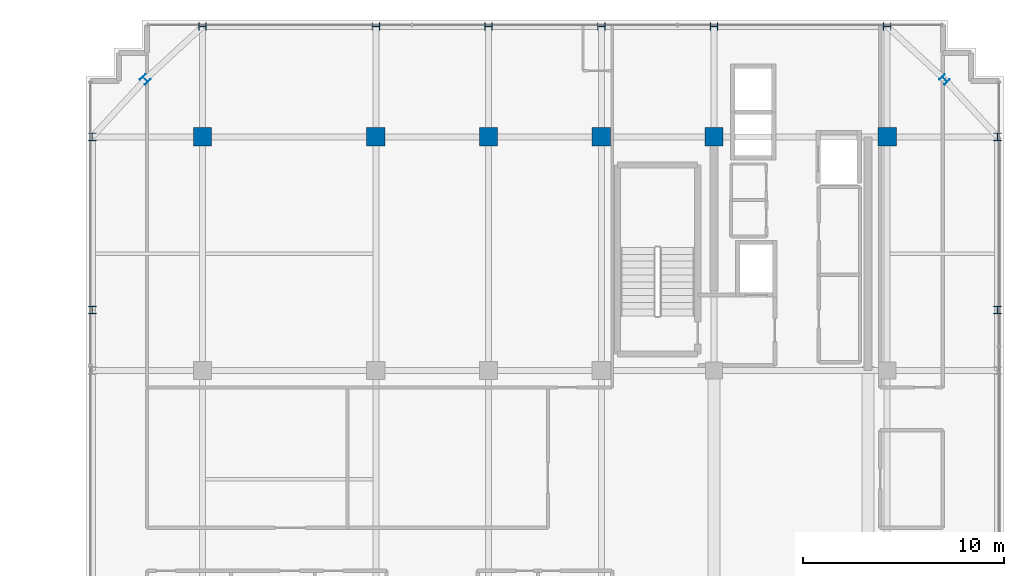
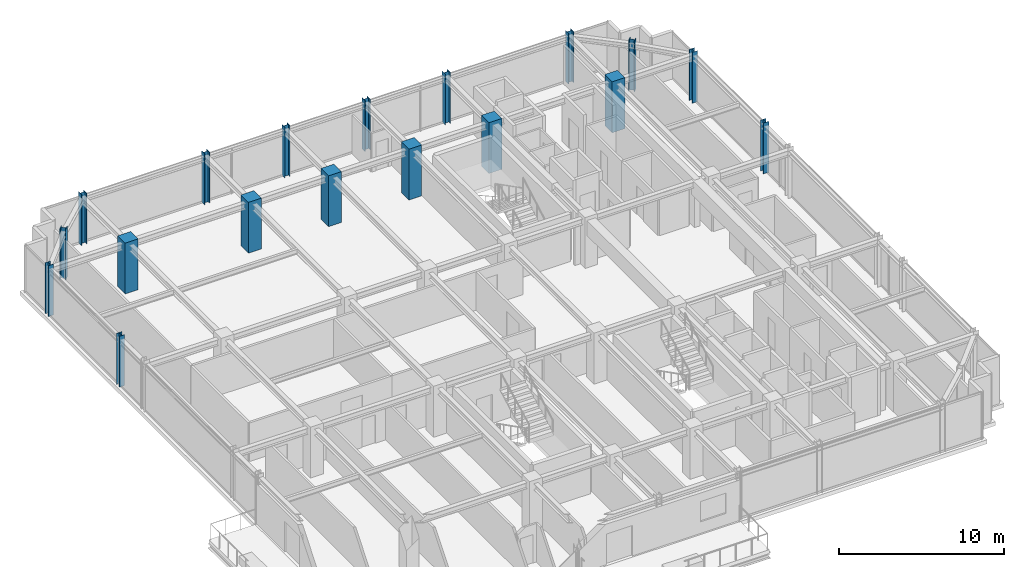
# One storey, part 3 of 31: 18 columns.
"""IFC4 building model written with IfcOpenShell, lengths in metres."""

from ifc_helpers import new_model, si_unit, direction, frame, origin, origin_2d, place, context, subcontext, project, spatial, rectangle, i_section, extrude, source, transform, mapped, material, material_profile, profile_set, type_object, element, save


model = new_model("IFC4")

# Units and contexts
model_context = context("Model", 3, precision=1e-05, world=origin(), true_north=direction((0.0, 1.0)))
body_context = subcontext(model_context, "Body", "Model", "MODEL_VIEW")
ifc_project = project(units=[si_unit("LENGTHUNIT", "METRE"), si_unit("AREAUNIT", "SQUARE_METRE"), si_unit("VOLUMEUNIT", "CUBIC_METRE"), si_unit("PLANEANGLEUNIT", "RADIAN"), si_unit("MASSUNIT", "GRAM", prefix="KILO")], contexts=[model_context])

# Site, building, storey
site_placement = place(None, origin())
site = spatial("IfcSite", under=ifc_project, at=site_placement, CompositionType="ELEMENT")
building_placement = place(site_placement, origin())
building = spatial("IfcBuilding", under=site, at=building_placement, Name="Nahalor Promenade Grand Hotel", CompositionType="ELEMENT")
storey_placement = place(building_placement, frame((0.0, 0.0, 323.35009765625)))
storey = spatial("IfcBuildingStorey", under=building, at=storey_placement, Name="L83", CompositionType="ELEMENT", Elevation=323.35009765625)

# Columns
ifc_material_1 = material(Name="Concrete B-50 (C40/50)", Category="concrete")
ifc_material_profile_1 = material_profile(ifc_material_1, rectangle(XDim=0.9, YDim=0.9, at=origin_2d()), Name="RC 900x900")
ifc_profile_set_1 = profile_set([ifc_material_profile_1], Name="Concrete B-50 (C40/50)")
column_type_1 = type_object("IfcColumnType", Name="Col-RC-900", PredefinedType="COLUMN", material=ifc_profile_set_1)
shared_shape_1 = source(origin(), body_context, "Body", "SweptSolid", [
    extrude(rectangle(XDim=0.9, YDim=0.9, at=origin_2d()), origin(), (0.0, 0.0, 1.0), 3.7548828125),
])
for number, where, z_axis, x_axis, name in (
    (1, (-17.0, 17.0, 0.0), (0.0, 0.0, 1.0), (1.0, 0.0, 0.0), "COL-L83-I03"),
    (2, (-8.39990234375, 17.0, 0.0), (0.0, 0.0, 1.0), (1.0, 0.0, 0.0), "COL-L83-I13"),
    (3, (-2.800048828125, 17.0, 0.0), (0.0, 0.0, 1.0), (1.0, 0.0, 0.0), "COL-L83-I23"),
    (4, (2.800048828125, 17.0, 0.0), (0.0, 0.0, 1.0), (1.0, 0.0, 0.0), "COL-L83-I33"),
    (5, (8.39990234375, 17.0, 0.0), (0.0, 0.0, 1.0), (1.0, 0.0, 0.0), "COL-L83-I43"),
    (6, (17.0, 17.0, 0.0), (0.0, 0.0, 1.0), (1.0, 0.0, 0.0), "COL-L83-I53"),
):
    element("IfcColumn", number, at=place(storey_placement, frame(where, z_axis=z_axis, x_axis=x_axis)), inside=storey, type_object=column_type_1, Name=name, PredefinedType="COLUMN", context=body_context, shape_type="MappedRepresentation", body=[
        mapped(shared_shape_1, transform((0.0, 0.0, 0.0), scale=1.0)),
    ])
ifc_material_2 = material(Name="Steel S355JR", Category="steel")
ifc_material_profile_2 = material_profile(ifc_material_2, i_section(OverallWidth=0.374, OverallDepth=0.374, WebThickness=0.0144, FlangeThickness=0.0229, at=origin_2d()), Name="HD 360x262")
ifc_profile_set_2 = profile_set([ifc_material_profile_2], Name="Steel S355JR")
column_type_2 = type_object("IfcColumnType", Name="Col-Steel-HD262", PredefinedType="COLUMN", material=ifc_profile_set_2)
shared_shape_2 = source(origin(), body_context, "Body", "SweptSolid", [
    extrude(i_section(OverallWidth=0.374, OverallDepth=0.374, WebThickness=0.0144, FlangeThickness=0.0229, at=origin_2d()), origin(), (0.0, 0.0, 1.0), 3.7548828125),
])
for number, where, z_axis, x_axis, name in (
    (7, (-22.47998046875, 8.39990234375, 0.0), (0.0, 0.0, 1.0), (1.0, 0.0, 0.0), "COL-L83-PW-W4"),
    (8, (22.47998046875, 8.39990234375, 0.0), (0.0, 0.0, 1.0), (1.0, 0.0, 0.0), "COL-L83-PW-E4"),
    (9, (-22.47998046875, 17.0, 0.0), (0.0, 0.0, 1.0), (1.0, 0.0, 0.0), "COL-L83-PW-W5"),
    (10, (22.47998046875, 17.0, 0.0), (0.0, 0.0, 1.0), (1.0, 0.0, 0.0), "COL-L83-PW-E5"),
    (11, (-17.0, 22.47998046875, 0.0), (0.0, 0.0, 1.0), (0.0, 1.0, 0.0), "COL-L83-PN-N0"),
    (12, (-8.39990234375, 22.47998046875, 0.0), (0.0, 0.0, 1.0), (0.0, 1.0, 0.0), "COL-L83-PN-N1"),
    (13, (-2.800048828125, 22.47998046875, 0.0), (0.0, 0.0, 1.0), (0.0, 1.0, 0.0), "COL-L83-PN-N2"),
    (14, (2.800048828125, 22.47998046875, 0.0), (0.0, 0.0, 1.0), (0.0, 1.0, 0.0), "COL-L83-PN-N3"),
    (15, (8.39990234375, 22.47998046875, 0.0), (0.0, 0.0, 1.0), (0.0, 1.0, 0.0), "COL-L83-PN-N4"),
    (16, (17.0, 22.47998046875, 0.0), (0.0, 0.0, 1.0), (0.0, 1.0, 0.0), "COL-L83-PN-N5"),
    (17, (-19.85009765625, 19.85009765625, 0.0), (0.0, 0.0, 1.0), (0.707106781187, 0.707106781187, 0.0), "COL-L83-CRN-NW"),
    (18, (19.85009765625, 19.85009765625, 0.0), (0.0, 0.0, 1.0), (0.707106781187, 0.707106781187, 0.0), "COL-L83-CRN-NE"),
):
    element("IfcColumn", number, at=place(storey_placement, frame(where, z_axis=z_axis, x_axis=x_axis)), inside=storey, type_object=column_type_2, Name=name, PredefinedType="COLUMN", context=body_context, shape_type="MappedRepresentation", body=[
        mapped(shared_shape_2, transform((0.0, 0.0, 0.0), scale=1.0)),
    ])

save(model, "model.ifc")
